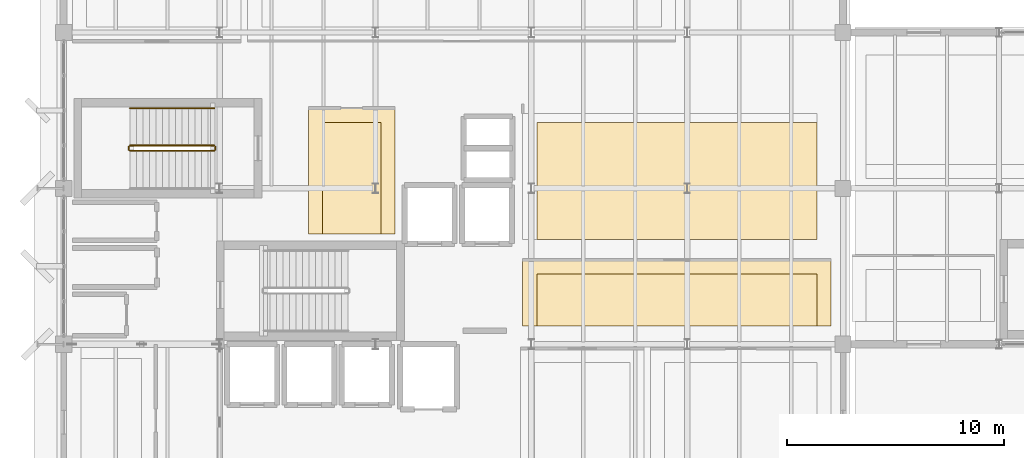
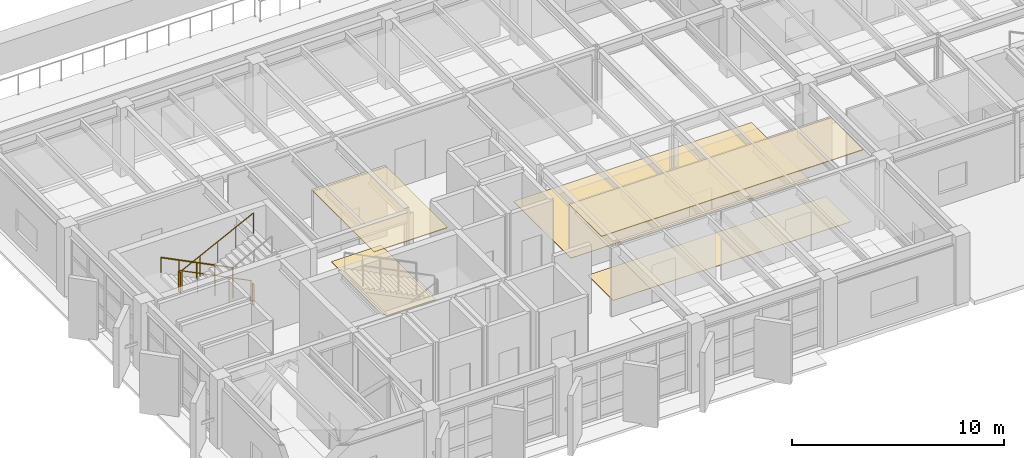
# One storey, part 33 of 37: 5 coverings, 5 railings.
"""IFC4 building model written with IfcOpenShell, lengths in metres."""

from ifc_helpers import new_model, si_unit, direction, frame, origin, origin_2d, place, context, subcontext, project, spatial, polyline, circle, outline, extrude, material, layer, layer_set, type_object, element, save


model = new_model("IFC4")

# Units and contexts
model_context = context("Model", 3, precision=1e-05, world=origin(), true_north=direction((0.0, 1.0)))
body_context = subcontext(model_context, "Body", "Model", "MODEL_VIEW")
ifc_project = project(units=[si_unit("LENGTHUNIT", "METRE"), si_unit("AREAUNIT", "SQUARE_METRE"), si_unit("VOLUMEUNIT", "CUBIC_METRE"), si_unit("PLANEANGLEUNIT", "RADIAN"), si_unit("MASSUNIT", "GRAM", prefix="KILO")], contexts=[model_context])

# Site, building, storey
site_placement = place(None, origin())
site = spatial("IfcSite", under=ifc_project, at=site_placement, CompositionType="ELEMENT")
building_placement = place(site_placement, origin())
building = spatial("IfcBuilding", under=site, at=building_placement, Name="Kandorven Conservatory and Botanical Research Centre", CompositionType="ELEMENT")
storey_placement = place(building_placement, frame((0.0, 0.0, 9.0)))
storey = spatial("IfcBuildingStorey", under=building, at=storey_placement, Name="L02", CompositionType="ELEMENT", Elevation=9.0)

# Coverings
ifc_material_1 = material(Name="Perforated mineral-fibre acoustic ceiling tile", Category="gypsum")
ifc_layer_1 = layer(ifc_material_1, 0.0400390625)
ifc_layer_set_1 = layer_set([ifc_layer_1], Name="Perforated mineral-fibre acoustic ceiling tile")
covering_type_1 = type_object("IfcCoveringType", Name="Cov_Ceiling_1", PredefinedType="CEILING", material=ifc_layer_set_1)
covering_1_placement = place(storey_placement, frame((0.0, 0.0, 3.89990234375)))
element("IfcCovering", 1, at=covering_1_placement, inside=storey, type_object=covering_type_1, Name="Suspended acoustic ceiling CLG-01 (Botanical Specimen Preparation Laboratory L02)", PredefinedType="CEILING", context=body_context, shape_type="SweptSolid", body=[
    extrude(outline(polyline([(17.300048828125, 18.300048828125), (21.300048828125, 18.300048828125), (21.300048828125, 24.10009765625), (17.300048828125, 24.10009765625), (17.300048828125, 18.300048828125)])), origin(), (0.0, 0.0, 1.0), 0.0400390625),
])
covering_2_placement = place(storey_placement, frame((0.0, 0.0, 3.89990234375)))
element("IfcCovering", 2, at=covering_2_placement, inside=storey, type_object=covering_type_1, Name="Suspended acoustic ceiling CLG-01 (Plant Pathology Research Laboratory L02)", PredefinedType="CEILING", context=body_context, shape_type="SweptSolid", body=[
    extrude(outline(polyline([(27.199951171875, 14.050048828125), (41.449951171875, 14.050048828125), (41.449951171875, 17.10009765625), (27.199951171875, 17.10009765625), (27.199951171875, 14.050048828125)])), origin(), (0.0, 0.0, 1.0), 0.0400390625),
])
ifc_material_2 = material(Name="Honed Kota stone and epoxy laboratory flooring", Category="masonry")
ifc_layer_2 = layer(ifc_material_2, 0.02490234375)
ifc_layer_set_2 = layer_set([ifc_layer_2], Name="Honed Kota stone and epoxy laboratory flooring")
covering_type_2 = type_object("IfcCoveringType", Name="Cov_Flooring_1", PredefinedType="FLOORING", material=ifc_layer_set_2)
covering_3_placement = place(storey_placement, origin())
element("IfcCovering", 3, at=covering_3_placement, inside=storey, type_object=covering_type_2, Name="Floor finish FLR-01 (Botanical Specimen Preparation Laboratory L02)", PredefinedType="FLOORING", context=body_context, shape_type="SweptSolid", body=[
    extrude(outline(polyline([(17.949951171875, 18.300048828125), (20.64990234375, 18.300048828125), (20.64990234375, 23.449951171875), (17.949951171875, 23.449951171875), (17.949951171875, 18.300048828125)])), origin(), (0.0, 0.0, 1.0), 0.02490234375),
])
covering_4_placement = place(storey_placement, origin())
element("IfcCovering", 4, at=covering_4_placement, inside=storey, type_object=covering_type_2, Name="Floor finish FLR-01 (Plant Pathology Research Laboratory L02)", PredefinedType="FLOORING", context=body_context, shape_type="SweptSolid", body=[
    extrude(outline(polyline([(27.85009765625, 14.050048828125), (40.800048828125, 14.050048828125), (40.800048828125, 16.449951171875), (27.85009765625, 16.449951171875), (27.85009765625, 14.050048828125)])), origin(), (0.0, 0.0, 1.0), 0.02490234375),
])
covering_5_placement = place(storey_placement, origin())
element("IfcCovering", 5, at=covering_5_placement, inside=storey, type_object=covering_type_2, Name="Floor finish FLR-01 (Tissue Culture Clean Research Laboratory L02)", PredefinedType="FLOORING", context=body_context, shape_type="SweptSolid", body=[
    extrude(outline(polyline([(27.85009765625, 18.050048828125), (40.800048828125, 18.050048828125), (40.800048828125, 23.449951171875), (27.85009765625, 23.449951171875), (27.85009765625, 18.050048828125)])), origin(), (0.0, 0.0, 1.0), 0.02490234375),
])

# Railings
ifc_material_3 = material(Name="Steel S355 (IS 2062 E350)", Category="steel")
railing_type_1 = type_object("IfcRailingType", Name="StairGuard_1150", PredefinedType="BALUSTRADE", material=ifc_material_3)
railing_1_placement = place(storey_placement, frame((12.9599609375, 22.3798828125, 0.14990234375)))
element("IfcRailing", 6, at=railing_1_placement, inside=storey, type_object=railing_type_1, Name="L02 ST-T2 stair guard 1", PredefinedType="BALUSTRADE", context=body_context, shape_type="SweptSolid", body=[
    extrude(circle(Radius=0.02392578125, at=origin_2d()), frame((0.0, 0.0, 1.17578125), z_axis=(-0.894404793364, 0.0, 0.447258387967), x_axis=(0.0, -1.0, 0.0)), (0.0, 0.0, 1.0), 4.3603515625),
    extrude(circle(Radius=0.02099609375, at=origin_2d()), origin(), (0.0, 0.0, 1.0), 1.15185546875),
    extrude(circle(Radius=0.02099609375, at=origin_2d()), frame((-0.97509765625, 0.0, 0.487548828125)), (0.0, 0.0, 1.0), 1.15185546875),
    extrude(circle(Radius=0.02099609375, at=origin_2d()), frame((-1.949951171875, 0.0, 0.97509765625)), (0.0, 0.0, 1.0), 1.15185546875),
    extrude(circle(Radius=0.02099609375, at=origin_2d()), frame((-2.9248046875, 0.0, 1.462646484375)), (0.0, 0.0, 1.0), 1.15185546875),
    extrude(circle(Radius=0.02099609375, at=origin_2d()), frame((-3.89990234375, 0.0, 1.9501953125)), (0.0, 0.0, 1.0), 1.15185546875),
])
railing_2_placement = place(storey_placement, frame((9.010009765625, 22.330078125, 2.10009765625)))
element("IfcRailing", 7, at=railing_2_placement, inside=storey, type_object=railing_type_1, Name="L02 ST-T2 stair guard 2", PredefinedType="BALUSTRADE", context=body_context, shape_type="SweptSolid", body=[
    extrude(circle(Radius=0.02392578125, at=origin_2d()), frame((0.0, 0.0, 1.17578125), z_axis=(0.0, -1.0, 0.0), x_axis=(1.0, 0.0, 0.0)), (0.0, 0.0, 1.0), 0.150146484375),
    extrude(circle(Radius=0.02099609375, at=origin_2d()), origin(), (0.0, 0.0, 1.0), 1.15185546875),
    extrude(circle(Radius=0.02099609375, at=origin_2d()), frame((0.0, -0.150146484375, 0.0)), (0.0, 0.0, 1.0), 1.15185546875),
])
railing_3_placement = place(storey_placement, frame((9.06005859375, 22.1298828125, 2.25)))
element("IfcRailing", 8, at=railing_3_placement, inside=storey, type_object=railing_type_1, Name="L02 ST-T2 stair guard 3", PredefinedType="BALUSTRADE", context=body_context, shape_type="SweptSolid", body=[
    extrude(circle(Radius=0.02392578125, at=origin_2d()), frame((0.0, 0.0, 1.17578125), z_axis=(0.894427191, 0.0, 0.4472135955), x_axis=(0.0, 1.0, 0.0)), (0.0, 0.0, 1.0), 4.360107421875),
    extrude(circle(Radius=0.02099609375, at=origin_2d()), origin(), (0.0, 0.0, 1.0), 1.15185546875),
    extrude(circle(Radius=0.02099609375, at=origin_2d()), frame((0.97509765625, 0.0, 0.487548828125)), (0.0, 0.0, 1.0), 1.15185546875),
    extrude(circle(Radius=0.02099609375, at=origin_2d()), frame((1.949951171875, 0.0, 0.97509765625)), (0.0, 0.0, 1.0), 1.15185546875),
    extrude(circle(Radius=0.02099609375, at=origin_2d()), frame((2.9248046875, 0.0, 1.46240234375)), (0.0, 0.0, 1.0), 1.15185546875),
    extrude(circle(Radius=0.02099609375, at=origin_2d()), frame((3.89990234375, 0.0, 1.949951171875)), (0.0, 0.0, 1.0), 1.15185546875),
])
railing_4_placement = place(storey_placement, frame((13.010009765625, 22.330078125, 0.0)))
element("IfcRailing", 9, at=railing_4_placement, inside=storey, type_object=railing_type_1, Name="L02 ST-T2 stair guard 4", PredefinedType="BALUSTRADE", context=body_context, shape_type="SweptSolid", body=[
    extrude(circle(Radius=0.02392578125, at=origin_2d()), frame((0.0, 0.0, 1.17578125), z_axis=(0.0, -1.0, 0.0), x_axis=(1.0, 0.0, 0.0)), (0.0, 0.0, 1.0), 0.150146484375),
    extrude(circle(Radius=0.02099609375, at=origin_2d()), origin(), (0.0, 0.0, 1.0), 1.15185546875),
    extrude(circle(Radius=0.02099609375, at=origin_2d()), frame((0.0, -0.150146484375, 0.0)), (0.0, 0.0, 1.0), 1.15185546875),
])
ifc_material_4 = material(Name="Steel S355 (IS 2062 E350)", Category="steel")
railing_type_2 = type_object("IfcRailingType", Name="StairHandrail_900", PredefinedType="HANDRAIL", material=ifc_material_4)
railing_5_placement = place(storey_placement, frame((12.9599609375, 24.10009765625, 0.14990234375)))
element("IfcRailing", 10, at=railing_5_placement, inside=storey, type_object=railing_type_2, Name="L02 ST-T2 stair handrail 1", PredefinedType="HANDRAIL", context=body_context, shape_type="SweptSolid", body=[
    extrude(circle(Radius=0.02392578125, at=origin_2d()), frame((0.0, 0.0, 0.8759765625), z_axis=(-0.894404793364, 0.0, 0.447258387967), x_axis=(0.0, -1.0, 0.0)), (0.0, 0.0, 1.0), 4.3603515625),
    extrude(circle(Radius=0.02099609375, at=origin_2d()), origin(), (0.0, 0.0, 1.0), 0.851806640625),
    extrude(circle(Radius=0.02099609375, at=origin_2d()), frame((-0.97509765625, 0.0, 0.487548828125)), (0.0, 0.0, 1.0), 0.851806640625),
    extrude(circle(Radius=0.02099609375, at=origin_2d()), frame((-1.949951171875, 0.0, 0.97509765625)), (0.0, 0.0, 1.0), 0.851806640625),
    extrude(circle(Radius=0.02099609375, at=origin_2d()), frame((-2.9248046875, 0.0, 1.462646484375)), (0.0, 0.0, 1.0), 0.851806640625),
    extrude(circle(Radius=0.02099609375, at=origin_2d()), frame((-3.89990234375, 0.0, 1.9501953125)), (0.0, 0.0, 1.0), 0.851806640625),
])

save(model, "model.ifc")
